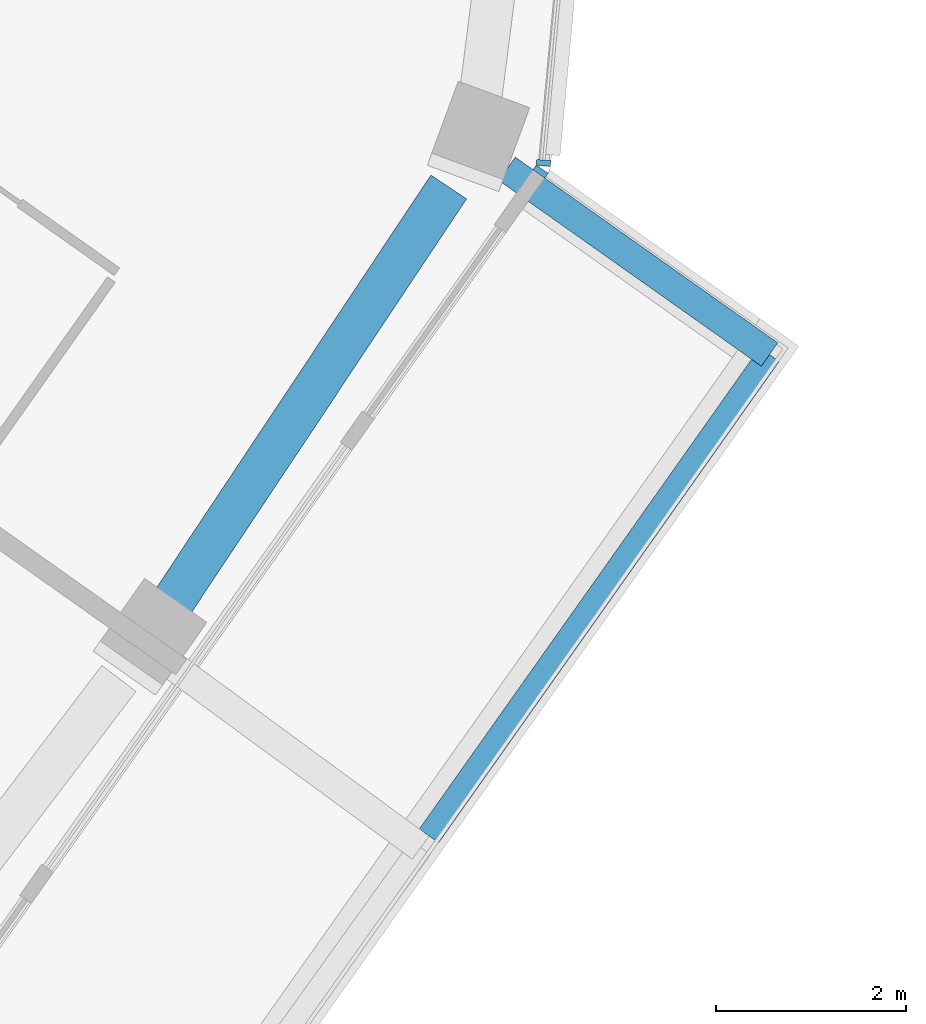
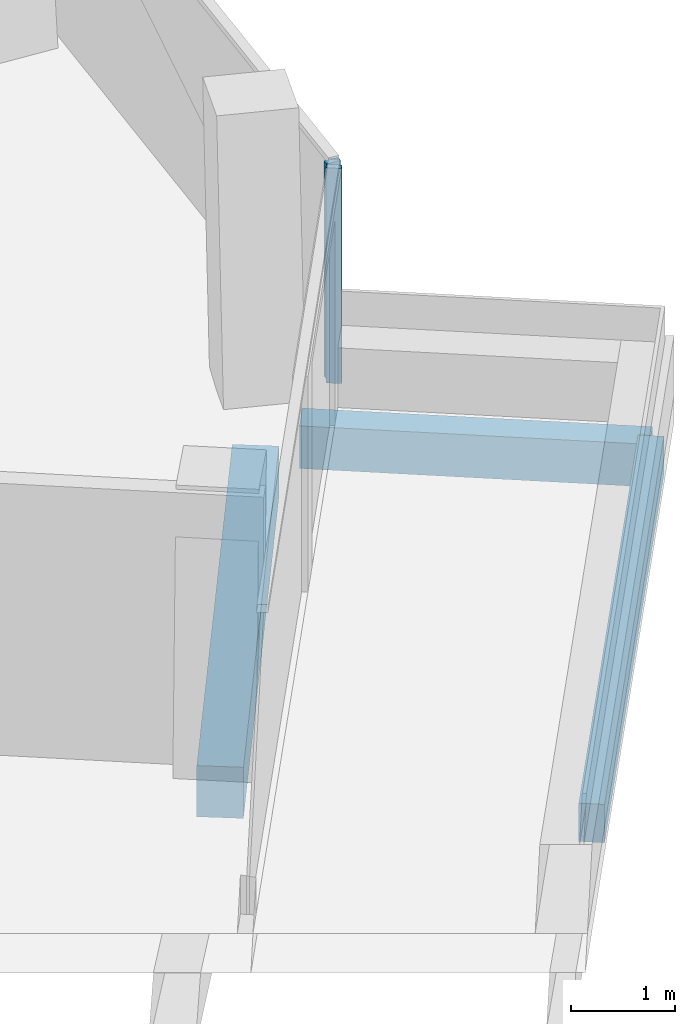
# One storey, part 5 of 23: 3 beams, 2 members, 2 elements without a shape of their own.
"""IFC4 building model written with IfcOpenShell, lengths in metres."""

from ifc_helpers import new_model, si_unit, direction, frame, origin, origin_2d, place, context, subcontext, project, spatial, rectangle, extrude, material, layer, layer_set, material_profile, profile_set, type_object, element, aggregate, save


model = new_model("IFC4")

# Units and contexts
model_context = context("Model", 3, precision=1e-05, world=origin(), true_north=direction((0.0, 1.0)))
body_context = subcontext(model_context, "Body", "Model", "MODEL_VIEW")
ifc_project = project(units=[si_unit("LENGTHUNIT", "METRE"), si_unit("AREAUNIT", "SQUARE_METRE"), si_unit("VOLUMEUNIT", "CUBIC_METRE"), si_unit("PLANEANGLEUNIT", "RADIAN"), si_unit("MASSUNIT", "GRAM", prefix="KILO")], contexts=[model_context])

# Site, building, storey
site_placement = place(None, origin())
site = spatial("IfcSite", under=ifc_project, at=site_placement, CompositionType="ELEMENT")
building_placement = place(site_placement, origin())
building = spatial("IfcBuilding", under=site, at=building_placement, Name="Verdalira Terraces Hotel", CompositionType="ELEMENT")
storey_placement = place(building_placement, frame((0.0, 0.0, 256.0)))
storey = spatial("IfcBuildingStorey", under=building, at=storey_placement, Name="L63", CompositionType="ELEMENT", Elevation=256.0)

# Beams
ifc_material_1 = material(Name="Concrete C40", Category="concrete")
ifc_material_profile_1 = material_profile(ifc_material_1, rectangle(XDim=0.300049, YDim=0.5, at=origin_2d()), Name="RC 300X500")
ifc_profile_set_1 = profile_set([ifc_material_profile_1], Name="Concrete C40")
beam_type_1 = type_object("IfcBeamType", Name="Balcony cantilever beam RC 300X500 C40", PredefinedType="BEAM", material=ifc_profile_set_1)
beam_1_placement = place(storey_placement, frame((23.104248, -8.689453, -0.560059), z_axis=(0.816332539, -0.577582189, 0.0), x_axis=(0.577582189, 0.816332539, 0.0)))
element("IfcBeam", 1, at=beam_1_placement, inside=storey, type_object=beam_type_1, Name="Balcony cantilever beam R25-5", PredefinedType="BEAM", context=body_context, shape_type="SweptSolid", body=[
    extrude(rectangle(XDim=0.300049, YDim=0.5, at=origin_2d()), origin(), (0.0, 0.0, 1.0), 3.378662),
])
ifc_material_2 = material(Name="Concrete C40", Category="concrete")
ifc_material_profile_2 = material_profile(ifc_material_2, rectangle(XDim=0.25, YDim=0.449951, at=origin_2d()), Name="RC 250X450")
ifc_profile_set_2 = profile_set([ifc_material_profile_2], Name="Concrete C40")
beam_type_2 = type_object("IfcBeamType", Name="Balcony edge beam RC 250X450 C40", PredefinedType="BEAM", material=ifc_profile_set_2)
beam_2_placement = place(storey_placement, frame((22.283691, -15.699219, -0.534912), z_axis=(0.577546067, 0.816358096, 0.0), x_axis=(-0.816358096, 0.577546067, 0.0)))
element("IfcBeam", 2, at=beam_2_placement, inside=storey, type_object=beam_type_2, Name="Balcony edge beam R25-4", PredefinedType="BEAM", context=body_context, shape_type="SweptSolid", body=[
    extrude(rectangle(XDim=0.25, YDim=0.449951, at=origin_2d()), origin(), (0.0, 0.0, 1.0), 6.196289),
])

# Curtain wall, member
ifc_material_3 = material(Name="Clear glass", Category="glass")
ifc_layer = layer(ifc_material_3, 0.14990234375)
ifc_layer_set = layer_set([ifc_layer], Name="CW1 curtain wall")
curtain_wall_type = type_object("IfcCurtainWallType", Name="CW1 curtain wall", PredefinedType="NOTDEFINED", material=ifc_layer_set)
curtain_wall_1_placement = place(storey_placement, origin())
curtain_wall_1 = element("IfcCurtainWall", 3, at=curtain_wall_1_placement, inside=storey, type_object=curtain_wall_type, Name="CW1 curtain wall L63 edge 26", PredefinedType="NOTDEFINED")
ifc_material_4 = material(Name="Terracotta frame", Category="masonry")
ifc_material_profile_3 = material_profile(ifc_material_4, rectangle(XDim=0.060059, YDim=0.149902, at=origin_2d()), Name="MU 60x150")
ifc_profile_set_3 = profile_set([ifc_material_profile_3], Name="Terracotta frame")
member_type = type_object("IfcMemberType", Name="CW1 mullion 60x150", PredefinedType="MULLION", material=ifc_profile_set_3)
member_1_placement = place(storey_placement, frame((23.455566, -8.71875, 0.0), z_axis=(0.0, 0.0, 1.0), x_axis=(0.577572703, 0.816339251, 0.0)))
member_1 = element("IfcMember", 4, at=member_1_placement, type_object=member_type, Name="CW1 mullion", PredefinedType="MULLION", context=body_context, shape_type="SweptSolid", body=[
    extrude(rectangle(XDim=0.060059, YDim=0.149902, at=origin_2d()), origin(), (0.0, 0.0, 1.0), 2.524902),
])
aggregate(curtain_wall_1, [member_1])

curtain_wall_2_placement = place(storey_placement, origin())
curtain_wall_2 = element("IfcCurtainWall", 5, at=curtain_wall_2_placement, inside=storey, type_object=curtain_wall_type, Name="CW1 curtain wall L63 edge 27", PredefinedType="NOTDEFINED")
member_2_placement = place(storey_placement, frame((23.489014, -8.62793, 0.0), z_axis=(0.0, 0.0, 1.0), x_axis=(0.092023008, 0.995756881, 0.0)))
member_2 = element("IfcMember", 6, at=member_2_placement, type_object=member_type, Name="CW1 mullion", PredefinedType="MULLION", context=body_context, shape_type="SweptSolid", body=[
    extrude(rectangle(XDim=0.060059, YDim=0.149902, at=origin_2d()), origin(), (0.0, 0.0, 1.0), 2.524902),
])
aggregate(curtain_wall_2, [member_2])

# Beam
ifc_material_5 = material(Name="Concrete C40", Category="concrete")
ifc_material_profile_4 = material_profile(ifc_material_5, rectangle(XDim=0.449951, YDim=0.600098, at=origin_2d()), Name="RC 450X600")
ifc_profile_set_4 = profile_set([ifc_material_profile_4], Name="Concrete C40")
beam_type_3 = type_object("IfcBeamType", Name="Spandrel beam RC 450X600 C40", PredefinedType="SPANDREL", material=ifc_profile_set_4)
beam_3_placement = place(storey_placement, frame((19.50415, -13.372559, -0.610107), z_axis=(0.553759897, 0.832676393, 0.0), x_axis=(-0.832676393, 0.553759897, 0.0)))
element("IfcBeam", 7, at=beam_3_placement, inside=storey, type_object=beam_type_3, Name="Spandrel beam B14", PredefinedType="SPANDREL", context=body_context, shape_type="SweptSolid", body=[
    extrude(rectangle(XDim=0.449951, YDim=0.600098, at=origin_2d()), origin(), (0.0, 0.0, 1.0), 5.394531),
])

save(model, "model.ifc")
